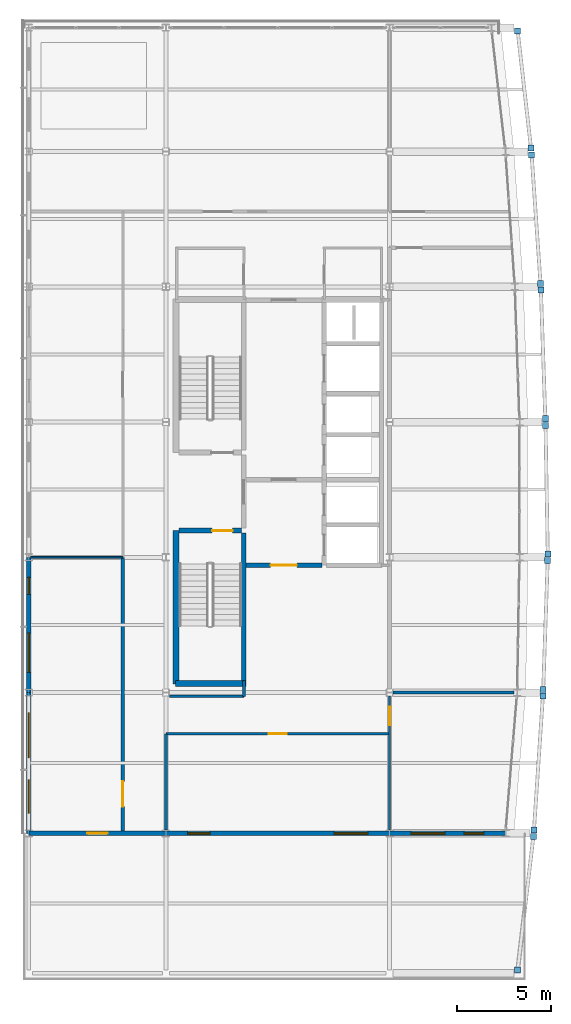
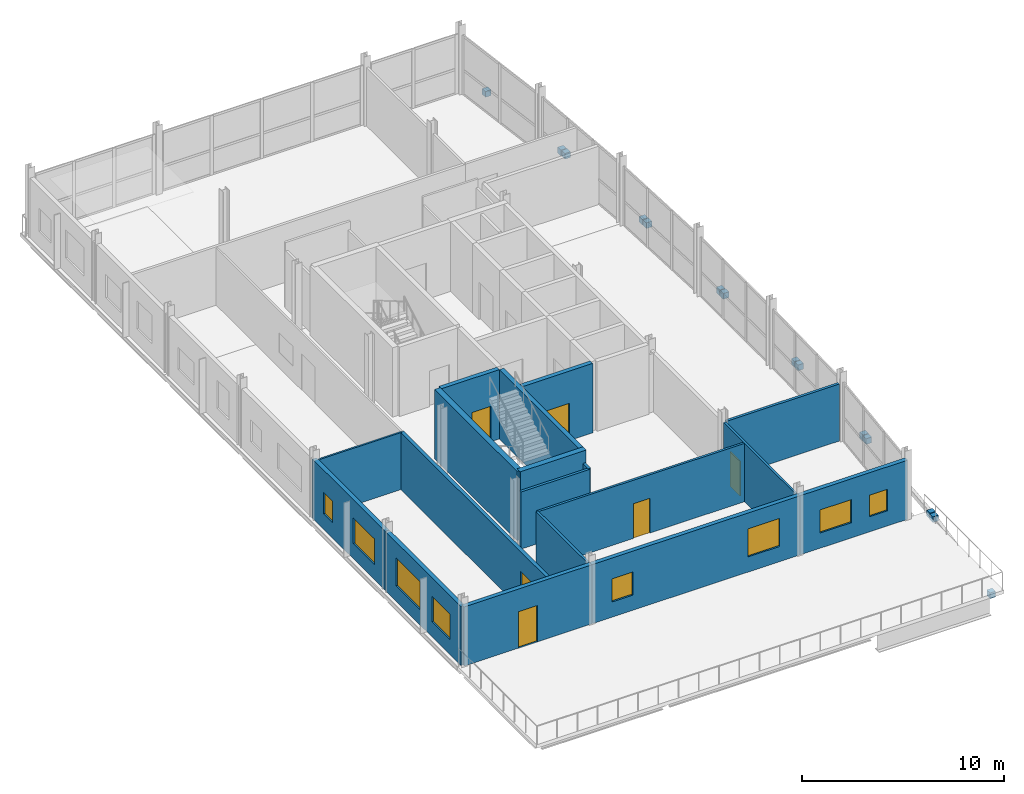
# One storey, part 14 of 19: 18 walls, 14 plates, 8 windows, 6 doors, 14 openings.
"""IFC4 building model written with IfcOpenShell, lengths in metres."""

from ifc_helpers import new_model, si_unit, direction, frame, frame_2d, origin, origin_2d, place, context, subcontext, project, spatial, rectangle, extrude, material, layer, layer_set, type_object, element, fill, save


model = new_model("IFC4")

# Units and contexts
model_context = context("Model", 3, precision=1e-05, world=origin(), true_north=direction((0.0, 1.0)))
body_context = subcontext(model_context, "Body", "Model", "MODEL_VIEW")
ifc_project = project(units=[si_unit("LENGTHUNIT", "METRE"), si_unit("AREAUNIT", "SQUARE_METRE"), si_unit("VOLUMEUNIT", "CUBIC_METRE"), si_unit("PLANEANGLEUNIT", "RADIAN"), si_unit("MASSUNIT", "GRAM", prefix="KILO")], contexts=[model_context])

# Site, building, storey
site_placement = place(None, origin())
site = spatial("IfcSite", under=ifc_project, at=site_placement, CompositionType="ELEMENT")
building_placement = place(site_placement, origin())
building = spatial("IfcBuilding", under=site, at=building_placement, Name="Quillay Park Conservatory", CompositionType="ELEMENT")
storey_placement = place(building_placement, frame((0.0, 0.0, 35.10009765625)))
storey = spatial("IfcBuildingStorey", under=building, at=storey_placement, Name="L08", CompositionType="ELEMENT", Elevation=35.10009765625)

# Plates
ifc_material_1 = material(Name="Steel S355J2H", Category="steel")
ifc_layer_1 = layer(ifc_material_1, 0.02392578125)
ifc_layer_set_1 = layer_set([ifc_layer_1], Name="HOLLOW END CAP PLATE 320 X220 (Steel S355J2H)")
plate_type = type_object("IfcPlateType", Name="HOLLOW END CAP PLATE 320 X220", PredefinedType="USERDEFINED", material=ifc_layer_set_1)
for number, where, z_axis, x_axis, name in (
    (1, (26.5703125, 63.223876953125, -0.537109375), (0.0, 0.0, 1.0), (1.0, 0.0, 0.0), "Hollow steel end cap ECP-0099"),
    (2, (27.404541015625, 70.326171875, -0.537109375), (0.0, 0.0, 1.0), (1.0, 0.0, 0.0), "Hollow steel end cap ECP-0100"),
    (3, (27.4365234375, 70.674560546875, -0.537109375), (0.0, 0.0, 1.0), (1.0, 0.0, 0.0), "Hollow steel end cap ECP-0101"),
    (4, (27.913330078125, 77.825439453125, -0.537109375), (0.0, 0.0, 1.0), (1.0, 0.0, 0.0), "Hollow steel end cap ECP-0102"),
    (5, (27.93115234375, 78.1748046875, -0.537109375), (0.0, 0.0, 1.0), (1.0, 0.0, 0.0), "Hollow steel end cap ECP-0103"),
    (6, (28.1689453125, 85.025146484375, -0.537109375), (0.0, 0.0, 1.0), (1.0, 0.0, 0.0), "Hollow steel end cap ECP-0104"),
    (7, (28.172119140625, 85.375, -0.537109375), (0.0, 0.0, 1.0), (1.0, 0.0, 0.0), "Hollow steel end cap ECP-0105"),
    (8, (28.052978515625, 92.22509765625, -0.537109375), (0.0, 0.0, 1.0), (1.0, 0.0, 0.0), "Hollow steel end cap ECP-0106"),
    (9, (28.0439453125, 92.574951171875, -0.537109375), (0.0, 0.0, 1.0), (1.0, 0.0, 0.0), "Hollow steel end cap ECP-0107"),
    (10, (27.80615234375, 99.425048828125, -0.537109375), (0.0, 0.0, 1.0), (1.0, 0.0, 0.0), "Hollow steel end cap ECP-0108"),
    (11, (27.787841796875, 99.774658203125, -0.537109375), (0.0, 0.0, 1.0), (1.0, 0.0, 0.0), "Hollow steel end cap ECP-0109"),
    (12, (27.31201171875, 106.62548828125, -0.537109375), (0.0, 0.0, 1.0), (1.0, 0.0, 0.0), "Hollow steel end cap ECP-0110"),
    (13, (27.2802734375, 106.973876953125, -0.537109375), (0.0, 0.0, 1.0), (1.0, 0.0, 0.0), "Hollow steel end cap ECP-0111"),
    (14, (26.56982421875, 113.22607421875, -0.537109375), (0.0, 0.0, 1.0), (1.0, 0.0, 0.0), "Hollow steel end cap ECP-0112"),
):
    element("IfcPlate", number, at=place(storey_placement, frame(where, z_axis=z_axis, x_axis=x_axis)), inside=storey, type_object=plate_type, Name=name, ObjectType="FLANGE PLATE", PredefinedType="USERDEFINED", context=body_context, shape_type="SweptSolid", body=[
        extrude(rectangle(XDim=0.320068359375, YDim=0.320068359375, at=origin_2d()), origin(), (0.0, 0.0, 1.0), 0.343994140625),
    ])

# Wall
ifc_material_2 = material(Name="Steel-Stud Acoustic Gypsum Board Partition", Category="steel")
ifc_layer_2 = layer(ifc_material_2, 0.10009765625)
ifc_layer_set_2 = layer_set([ifc_layer_2], Name="ACOUSTIC GYPSUM PARTITION 100 (Steel-Stud Acoustic Gypsum Board Partition)")
wall_type_1 = type_object("IfcWallType", Name="ACOUSTIC GYPSUM PARTITION 100", PredefinedType="PARTITIONING", material=ifc_layer_set_2)
wall_1_placement = place(storey_placement, frame((0.64990234375, 85.199951171875, 0.0), z_axis=(0.0, 0.0, 1.0), x_axis=(1.0, 0.0, 0.0)))
element("IfcWall", 15, at=wall_1_placement, inside=storey, type_object=wall_type_1, Name="L08 West Divider 85", PredefinedType="PARTITIONING", context=body_context, shape_type="SweptSolid", body=[
    extrude(rectangle(XDim=4.900146484375, YDim=0.10009765625, at=frame_2d((2.4501953125, 0.0))), origin(), (0.0, 0.0, 1.0), 3.450927734375),
])

# Wall, opening, door
ifc_material_3 = material(Name="Steel-Stud Acoustic Gypsum Board Partition", Category="steel")
ifc_layer_3 = layer(ifc_material_3, 0.125)
ifc_layer_set_3 = layer_set([ifc_layer_3], Name="ACOUSTIC GYPSUM PARTITION 125 (Steel-Stud Acoustic Gypsum Board Partition)")
wall_type_2 = type_object("IfcWallType", Name="ACOUSTIC GYPSUM PARTITION 125", PredefinedType="PARTITIONING", material=ifc_layer_set_3)
wall_2_placement = place(storey_placement, frame((19.75, 70.677001953125, 0.0), z_axis=(0.0, 0.0, 1.0), x_axis=(0.0, 1.0, 0.0)))
wall_2 = element("IfcWall", 16, at=wall_2_placement, inside=storey, type_object=wall_type_2, Name="L08 Pollen Morphometrics Studio West Door Wall", PredefinedType="PARTITIONING", context=body_context, shape_type="SweptSolid", body=[
    extrude(rectangle(XDim=7.142578125, YDim=0.125, at=frame_2d((3.5712890625, 0.0))), origin(), (0.0, 0.0, 1.0), 3.52685546875),
])
opening_1_placement = place(wall_2_placement, frame((5.5830078125, 0.0, 0.0)))
opening_1 = element("IfcOpeningElement", 17, at=opening_1_placement, cuts=wall_2, Name="Opening D-RM03", PredefinedType="OPENING", context=body_context, shape_type="SweptSolid", body=[
    extrude(rectangle(XDim=0.97998046875, YDim=2.10009765625, at=frame_2d((0.489990234375, 1.050048828125))), frame((0.0, 0.0625, 0.0), z_axis=(0.0, -1.0, 0.0), x_axis=(1.0, 0.0, 0.0)), (0.0, 0.0, 1.0), 0.125),
])
ifc_material_4 = material(Name="Thermally Broken Anodised Aluminium 6063-T6", Category="aluminium")
door_type_1 = type_object("IfcDoorType", Name="SINGLE SWING DOOR 980 X2100", OperationType="NOTDEFINED", PredefinedType="DOOR", material=ifc_material_4)
door_1_placement = place(opening_1_placement, origin())
door_1 = element("IfcDoor", 18, at=door_1_placement, inside=storey, type_object=door_type_1, Name="L08 Door to Pollen Morphometrics Studio", OperationType="SINGLE_SWING_LEFT", OverallHeight=2.10009765625, OverallWidth=0.97998046875, PredefinedType="DOOR", context=body_context, shape_type="SweptSolid", body=[
    extrude(rectangle(XDim=0.97998046875, YDim=2.10009765625, at=frame_2d((0.489990234375, 1.050048828125))), frame((0.0, 0.02490234375, 0.0), z_axis=(0.0, -1.0, 0.0), x_axis=(1.0, 0.0, 0.0)), (0.0, 0.0, 1.0), 0.050048828125),
])
fill(opening_1, door_1)

ifc_material_5 = material(Name="Steel-Stud Acoustic Gypsum Board Partition", Category="steel")
ifc_layer_4 = layer(ifc_material_5, 0.1298828125)
ifc_layer_set_4 = layer_set([ifc_layer_4], Name="ACOUSTIC GYPSUM PARTITION 130 (Steel-Stud Acoustic Gypsum Board Partition)")
wall_type_3 = type_object("IfcWallType", Name="ACOUSTIC GYPSUM PARTITION 130", PredefinedType="PARTITIONING", material=ifc_layer_set_4)
wall_3_placement = place(storey_placement, frame((7.85009765625, 75.800048828125, 0.0), z_axis=(0.0, 0.0, 1.0), x_axis=(1.0, 0.0, 0.0)))
wall_3 = element("IfcWall", 19, at=wall_3_placement, inside=storey, type_object=wall_type_3, Name="L08 Seed X-Ray Radiography Research Laboratory North Door Wall", PredefinedType="PARTITIONING", context=body_context, shape_type="SweptSolid", body=[
    extrude(rectangle(XDim=11.89990234375, YDim=0.1298828125, at=frame_2d((5.949951171875, 0.0))), origin(), (0.0, 0.0, 1.0), 3.52685546875),
])
opening_2_placement = place(wall_3_placement, frame((5.47509765625, 0.0, 0.0)))
opening_2 = element("IfcOpeningElement", 20, at=opening_2_placement, cuts=wall_3, Name="Opening D-RM02", PredefinedType="OPENING", context=body_context, shape_type="SweptSolid", body=[
    extrude(rectangle(XDim=0.949951171875, YDim=2.10009765625, at=frame_2d((0.47509765625, 1.050048828125))), frame((0.0, 0.06494140625, 0.0), z_axis=(0.0, -1.0, 0.0), x_axis=(1.0, 0.0, 0.0)), (0.0, 0.0, 1.0), 0.1298828125),
])
ifc_material_6 = material(Name="Thermally Broken Anodised Aluminium 6063-T6", Category="aluminium")
door_type_2 = type_object("IfcDoorType", Name="SINGLE SWING DOOR 950 X2100", OperationType="NOTDEFINED", PredefinedType="DOOR", material=ifc_material_6)
door_2_placement = place(opening_2_placement, origin())
door_2 = element("IfcDoor", 21, at=door_2_placement, inside=storey, type_object=door_type_2, Name="L08 Door to Seed X-Ray Radiography Research Laboratory", OperationType="SINGLE_SWING_RIGHT", OverallHeight=2.10009765625, OverallWidth=0.949951171875, PredefinedType="DOOR", context=body_context, shape_type="SweptSolid", body=[
    extrude(rectangle(XDim=0.949951171875, YDim=2.10009765625, at=frame_2d((0.47509765625, 1.050048828125))), frame((0.0, 0.02490234375, 0.0), z_axis=(0.0, -1.0, 0.0), x_axis=(1.0, 0.0, 0.0)), (0.0, 0.0, 1.0), 0.050048828125),
])
fill(opening_2, door_2)

# Walls
ifc_material_7 = material(Name="Steel-Stud Acoustic Gypsum Board Partition", Category="steel")
ifc_layer_5 = layer(ifc_material_7, 0.139892578125)
ifc_layer_set_5 = layer_set([ifc_layer_5], Name="ACOUSTIC GYPSUM PARTITION 140 (Steel-Stud Acoustic Gypsum Board Partition)")
wall_type_4 = type_object("IfcWallType", Name="ACOUSTIC GYPSUM PARTITION 140", PredefinedType="PARTITIONING", material=ifc_layer_set_5)
wall_4_placement = place(storey_placement, frame((12.0, 77.800048828125, 0.0), z_axis=(0.0, 0.0, 1.0), x_axis=(0.0, 1.0, 0.0)))
element("IfcWall", 22, at=wall_4_placement, inside=storey, type_object=wall_type_4, Name="L08 Core South Vestibule West Wall", PredefinedType="PARTITIONING", context=body_context, shape_type="SweptSolid", body=[
    extrude(rectangle(XDim=0.849853515625, YDim=0.139892578125, at=frame_2d((0.4248046875, 0.0))), origin(), (0.0, 0.0, 1.0), 3.450927734375),
])
wall_5_placement = place(storey_placement, frame((7.85009765625, 70.677001953125, 0.0), z_axis=(0.0, 0.0, 1.0), x_axis=(0.0, 1.0, 0.0)))
element("IfcWall", 23, at=wall_5_placement, inside=storey, type_object=wall_type_4, Name="L08 South-Central West Wall", PredefinedType="PARTITIONING", context=body_context, shape_type="SweptSolid", body=[
    extrude(rectangle(XDim=5.123046875, YDim=0.139892578125, at=frame_2d((2.5615234375, 0.0))), origin(), (0.0, 0.0, 1.0), 3.52685546875),
])
ifc_material_8 = material(Name="Steel-Stud Acoustic Gypsum Board Partition", Category="steel")
ifc_layer_6 = layer(ifc_material_8, 0.14990234375)
ifc_layer_set_6 = layer_set([ifc_layer_6], Name="ACOUSTIC GYPSUM PARTITION 150 (Steel-Stud Acoustic Gypsum Board Partition)")
wall_type_5 = type_object("IfcWallType", Name="ACOUSTIC GYPSUM PARTITION 150", PredefinedType="PARTITIONING", material=ifc_layer_set_6)
wall_6_placement = place(storey_placement, frame((8.027099609375, 77.800048828125, 0.0), z_axis=(0.0, 0.0, 1.0), x_axis=(1.0, 0.0, 0.0)))
element("IfcWall", 24, at=wall_6_placement, inside=storey, type_object=wall_type_5, Name="L08 Core South-West Return", PredefinedType="PARTITIONING", context=body_context, shape_type="SweptSolid", body=[
    extrude(rectangle(XDim=3.972900390625, YDim=0.14990234375, at=frame_2d((1.986328125, 0.0))), origin(), (0.0, 0.0, 1.0), 3.450927734375),
])
wall_7_placement = place(storey_placement, frame((26.369384765625, 78.0, 0.0), z_axis=(0.0, 0.0, 1.0), x_axis=(-1.0, 0.0, 0.0)))
element("IfcWall", 25, at=wall_7_placement, inside=storey, type_object=wall_type_5, Name="L08 East Strip South Wall", PredefinedType="PARTITIONING", context=body_context, shape_type="SweptSolid", body=[
    extrude(rectangle(XDim=6.4423828125, YDim=0.14990234375, at=frame_2d((3.22119140625, 0.0))), origin(), (0.0, 0.0, 1.0), 3.450927734375),
])
ifc_material_9 = material(Name="Concrete C40/50 (NCh170 Concrete C40/50)", Category="concrete")
ifc_layer_7 = layer(ifc_material_9, 0.25)
ifc_layer_set_7 = layer_set([ifc_layer_7], Name="CORE SHEAR WALL 250 (Concrete C40/50 (NCh170 Concrete C40/50))")
wall_type_6 = type_object("IfcWallType", Name="CORE SHEAR WALL 250", PredefinedType="SHEAR", material=ifc_layer_set_7)
wall_8_placement = place(storey_placement, frame((11.9951171875, 78.64990234375, 0.0), z_axis=(0.0, 0.0, 1.0), x_axis=(0.0, 1.0, 0.0)))
element("IfcWall", 26, at=wall_8_placement, inside=storey, type_object=wall_type_6, Name="L08 Core Shear Wall WL-T2E-L08", PredefinedType="SHEAR", context=body_context, shape_type="SweptSolid", body=[
    extrude(rectangle(XDim=7.85009765625, YDim=0.25, at=frame_2d((3.925048828125, 0.0))), origin(), (0.0, 0.0, 1.0), 4.199951171875),
])

# Wall, opening, door
wall_9_placement = place(storey_placement, frame((8.550048828125, 86.625, 0.0), z_axis=(0.0, 0.0, 1.0), x_axis=(1.0, 0.0, 0.0)))
wall_9 = element("IfcWall", 27, at=wall_9_placement, inside=storey, type_object=wall_type_6, Name="L08 Core Shear Wall WL-ST2D-L08", PredefinedType="SHEAR", context=body_context, shape_type="SweptSolid", body=[
    extrude(rectangle(XDim=3.320068359375, YDim=0.25, at=frame_2d((1.66015625, 0.0))), origin(), (0.0, 0.0, 1.0), 4.199951171875),
])
opening_3_placement = place(wall_9_placement, frame((1.75, 0.0, 0.0)))
opening_3 = element("IfcOpeningElement", 28, at=opening_3_placement, cuts=wall_9, Name="Opening D-ST01", PredefinedType="OPENING", context=body_context, shape_type="SweptSolid", body=[
    extrude(rectangle(XDim=1.10009765625, YDim=2.14990234375, at=frame_2d((0.550048828125, 1.074951171875))), frame((0.0, 0.125, 0.0), z_axis=(0.0, -1.0, 0.0), x_axis=(1.0, 0.0, 0.0)), (0.0, 0.0, 1.0), 0.25),
])
ifc_material_10 = material(Name="Steel ASTM A572 Grade 50", Category="steel")
door_type_3 = type_object("IfcDoorType", Name="FIRE RATED STAIR DOOR 1100 X2150", OperationType="NOTDEFINED", PredefinedType="DOOR", material=ifc_material_10)
door_3_placement = place(opening_3_placement, origin())
door_3 = element("IfcDoor", 29, at=door_3_placement, inside=storey, type_object=door_type_3, Name="L08 Protected Stair ST-T2 Door", OperationType="SINGLE_SWING_LEFT", OverallHeight=2.14990234375, OverallWidth=1.10009765625, PredefinedType="DOOR", context=body_context, shape_type="SweptSolid", body=[
    extrude(rectangle(XDim=1.10009765625, YDim=2.14990234375, at=frame_2d((0.550048828125, 1.074951171875))), frame((0.0, 0.02490234375, 0.0), z_axis=(0.0, -1.0, 0.0), x_axis=(1.0, 0.0, 0.0)), (0.0, 0.0, 1.0), 0.050048828125),
])
fill(opening_3, door_3)

wall_10_placement = place(storey_placement, frame((12.1201171875, 84.77490234375, 0.0), z_axis=(0.0, 0.0, 1.0), x_axis=(1.0, 0.0, 0.0)))
wall_10 = element("IfcWall", 30, at=wall_10_placement, inside=storey, type_object=wall_type_6, Name="L08 Core Shear Wall WL-FFS-L08", PredefinedType="SHEAR", context=body_context, shape_type="SweptSolid", body=[
    extrude(rectangle(XDim=4.02978515625, YDim=0.25, at=frame_2d((2.014892578125, 0.0))), origin(), (0.0, 0.0, 1.0), 4.199951171875),
])
opening_4_placement = place(wall_10_placement, frame((1.300048828125, 0.0, 0.0)))
opening_4 = element("IfcOpeningElement", 31, at=opening_4_placement, cuts=wall_10, Name="Opening D-LB03", PredefinedType="OPENING", context=body_context, shape_type="SweptSolid", body=[
    extrude(rectangle(XDim=1.39990234375, YDim=2.25, at=frame_2d((0.699951171875, 1.125))), frame((0.0, 0.125, 0.0), z_axis=(0.0, -1.0, 0.0), x_axis=(1.0, 0.0, 0.0)), (0.0, 0.0, 1.0), 0.25),
])
ifc_material_11 = material(Name="Steel ASTM A572 Grade 50", Category="steel")
door_type_4 = type_object("IfcDoorType", Name="FIRE RATED LOBBY DOOR 1400 X2250", OperationType="NOTDEFINED", PredefinedType="DOOR", material=ifc_material_11)
door_4_placement = place(opening_4_placement, origin())
door_4 = element("IfcDoor", 32, at=door_4_placement, inside=storey, type_object=door_type_4, Name="L08 South Core Lobby Door", OperationType="SINGLE_SWING_RIGHT", OverallHeight=2.25, OverallWidth=1.39990234375, PredefinedType="DOOR", context=body_context, shape_type="SweptSolid", body=[
    extrude(rectangle(XDim=1.39990234375, YDim=2.25, at=frame_2d((0.699951171875, 1.125))), frame((0.0, 0.02490234375, 0.0), z_axis=(0.0, -1.0, 0.0), x_axis=(1.0, 0.0, 0.0)), (0.0, 0.0, 1.0), 0.050048828125),
])
fill(opening_4, door_4)

# Walls
ifc_material_12 = material(Name="Concrete C40/50 (NCh170 Concrete C40/50)", Category="concrete")
ifc_layer_8 = layer(ifc_material_12, 0.320068359375)
ifc_layer_set_8 = layer_set([ifc_layer_8], Name="CORE SHEAR WALL 320 (Concrete C40/50 (NCh170 Concrete C40/50))")
wall_type_7 = type_object("IfcWallType", Name="CORE SHEAR WALL 320", PredefinedType="SHEAR", material=ifc_layer_set_8)
wall_11_placement = place(storey_placement, frame((8.389892578125, 78.449951171875, 0.0), z_axis=(0.0, 0.0, 1.0), x_axis=(0.0, 1.0, 0.0)))
element("IfcWall", 33, at=wall_11_placement, inside=storey, type_object=wall_type_7, Name="L08 Core Shear Wall WL-TCW-S-L08", PredefinedType="SHEAR", context=body_context, shape_type="SweptSolid", body=[
    extrude(rectangle(XDim=8.175048828125, YDim=0.320068359375, at=frame_2d((4.08740234375, 0.0))), origin(), (0.0, 0.0, 1.0), 4.199951171875),
])
wall_12_placement = place(storey_placement, frame((8.35009765625, 78.489990234375, 0.0), z_axis=(0.0, 0.0, 1.0), x_axis=(1.0, 0.0, 0.0)))
element("IfcWall", 34, at=wall_12_placement, inside=storey, type_object=wall_type_7, Name="L08 Core Shear Wall WL-TCS-L08", PredefinedType="SHEAR", context=body_context, shape_type="SweptSolid", body=[
    extrude(rectangle(XDim=3.77001953125, YDim=0.320068359375, at=frame_2d((1.885009765625, 0.0))), origin(), (0.0, 0.0, 1.0), 4.199951171875),
])

# Wall, openings, windows
ifc_material_13 = material(Name="Glass-Fibre Reinforced Concrete (GRC) Cladding", Category="concrete")
ifc_layer_9 = layer(ifc_material_13, 0.239990234375)
ifc_layer_set_9 = layer_set([ifc_layer_9], Name="EXTERIOR SOLID WALL 240 (Glass-Fibre Reinforced Concrete (GRC) Cladding)")
wall_type_8 = type_object("IfcWallType", Name="EXTERIOR SOLID WALL 240", PredefinedType="SOLIDWALL", material=ifc_layer_set_9)
wall_13_placement = place(storey_placement, frame((0.550048828125, 70.5, 0.0), z_axis=(0.0, 0.0, 1.0), x_axis=(0.0, 1.0, 0.0)))
wall_13 = element("IfcWall", 35, at=wall_13_placement, inside=storey, type_object=wall_type_8, Name="L08 External Wall WL-EXT-V4W-L08-0", PredefinedType="SOLIDWALL", context=body_context, shape_type="SweptSolid", body=[
    extrude(rectangle(XDim=7.5, YDim=0.239990234375, at=frame_2d((3.75, 0.0))), origin(), (0.0, 0.0, 1.0), 3.576904296875),
])
opening_5_placement = place(wall_13_placement, frame((1.070068359375, 0.0, 0.919921875)))
opening_5 = element("IfcOpeningElement", 36, at=opening_5_placement, cuts=wall_13, Name="Opening W-09", PredefinedType="OPENING", context=body_context, shape_type="SweptSolid", body=[
    extrude(rectangle(XDim=1.800048828125, YDim=1.550048828125, at=frame_2d((0.89990234375, 0.77490234375))), frame((0.0, 0.1201171875, 0.0), z_axis=(0.0, -1.0, 0.0), x_axis=(1.0, 0.0, 0.0)), (0.0, 0.0, 1.0), 0.239990234375),
])
opening_6_placement = place(wall_13_placement, frame((4.030029296875, 0.0, 0.919921875)))
opening_6 = element("IfcOpeningElement", 37, at=opening_6_placement, cuts=wall_13, Name="Opening W-16", PredefinedType="OPENING", context=body_context, shape_type="SweptSolid", body=[
    extrude(rectangle(XDim=2.39990234375, YDim=1.699951171875, at=frame_2d((1.199951171875, 0.85009765625))), frame((0.0, 0.1201171875, 0.0), z_axis=(0.0, -1.0, 0.0), x_axis=(1.0, 0.0, 0.0)), (0.0, 0.0, 1.0), 0.239990234375),
])
ifc_material_14 = material(Name="Low-E Double Glazing (Laminated Tempered)", Category="glass")
window_type_1 = type_object("IfcWindowType", Name="FIXED CASEMENT WINDOW 1800 X1550", PartitioningType="DOUBLE_PANEL_VERTICAL", PredefinedType="WINDOW", material=ifc_material_14)
window_1_placement = place(opening_5_placement, origin())
window_1 = element("IfcWindow", 38, at=window_1_placement, inside=storey, type_object=window_type_1, Name="L08 Exterior Window 0203", OverallHeight=1.550048828125, OverallWidth=1.800048828125, PartitioningType="DOUBLE_PANEL_VERTICAL", PredefinedType="WINDOW", context=body_context, shape_type="SweptSolid", body=[
    extrude(rectangle(XDim=1.800048828125, YDim=1.550048828125, at=frame_2d((0.89990234375, 0.77490234375))), frame((0.0, 0.030029296875, 0.0), z_axis=(0.0, -1.0, 0.0), x_axis=(1.0, 0.0, 0.0)), (0.0, 0.0, 1.0), 0.06005859375),
])
fill(opening_5, window_1)
ifc_material_15 = material(Name="Low-E Double Glazing (Laminated Tempered)", Category="glass")
window_type_2 = type_object("IfcWindowType", Name="FIXED CASEMENT WINDOW 2400 X1700", PartitioningType="DOUBLE_PANEL_VERTICAL", PredefinedType="WINDOW", material=ifc_material_15)
window_2_placement = place(opening_6_placement, origin())
window_2 = element("IfcWindow", 39, at=window_2_placement, inside=storey, type_object=window_type_2, Name="L08 Exterior Window 0204", OverallHeight=1.699951171875, OverallWidth=2.39990234375, PartitioningType="DOUBLE_PANEL_VERTICAL", PredefinedType="WINDOW", context=body_context, shape_type="SweptSolid", body=[
    extrude(rectangle(XDim=2.39990234375, YDim=1.699951171875, at=frame_2d((1.199951171875, 0.85009765625))), frame((0.0, 0.030029296875, 0.0), z_axis=(0.0, -1.0, 0.0), x_axis=(1.0, 0.0, 0.0)), (0.0, 0.0, 1.0), 0.06005859375),
])
fill(opening_6, window_2)

wall_14_placement = place(storey_placement, frame((0.550048828125, 78.0, 0.0), z_axis=(0.0, 0.0, 1.0), x_axis=(0.0, 1.0, 0.0)))
wall_14 = element("IfcWall", 40, at=wall_14_placement, inside=storey, type_object=wall_type_8, Name="L08 External Wall WL-EXT-V4W-L08-1", PredefinedType="SOLIDWALL", context=body_context, shape_type="SweptSolid", body=[
    extrude(rectangle(XDim=7.199951171875, YDim=0.239990234375, at=frame_2d((3.60009765625, 0.0))), origin(), (0.0, 0.0, 1.0), 3.576904296875),
])
opening_7_placement = place(wall_14_placement, frame((1.070068359375, 0.0, 0.919921875)))
opening_7 = element("IfcOpeningElement", 41, at=opening_7_placement, cuts=wall_14, Name="Opening W-10", PredefinedType="OPENING", context=body_context, shape_type="SweptSolid", body=[
    extrude(rectangle(XDim=2.10009765625, YDim=1.550048828125, at=frame_2d((1.050048828125, 0.77490234375))), frame((0.0, 0.1201171875, 0.0), z_axis=(0.0, -1.0, 0.0), x_axis=(1.0, 0.0, 0.0)), (0.0, 0.0, 1.0), 0.239990234375),
])
opening_8_placement = place(wall_14_placement, frame((5.22998046875, 0.0, 0.919921875)))
opening_8 = element("IfcOpeningElement", 42, at=opening_8_placement, cuts=wall_14, Name="Opening W-17", PredefinedType="OPENING", context=body_context, shape_type="SweptSolid", body=[
    extrude(rectangle(XDim=0.89990234375, YDim=1.300048828125, at=frame_2d((0.449951171875, 0.64990234375))), frame((0.0, 0.1201171875, 0.0), z_axis=(0.0, -1.0, 0.0), x_axis=(1.0, 0.0, 0.0)), (0.0, 0.0, 1.0), 0.239990234375),
])
ifc_material_16 = material(Name="Low-E Double Glazing (Laminated Tempered)", Category="glass")
window_type_3 = type_object("IfcWindowType", Name="FIXED CASEMENT WINDOW 2100 X1550", PartitioningType="DOUBLE_PANEL_VERTICAL", PredefinedType="WINDOW", material=ifc_material_16)
window_3_placement = place(opening_7_placement, origin())
window_3 = element("IfcWindow", 43, at=window_3_placement, inside=storey, type_object=window_type_3, Name="L08 Exterior Window 0205", OverallHeight=1.550048828125, OverallWidth=2.10009765625, PartitioningType="DOUBLE_PANEL_VERTICAL", PredefinedType="WINDOW", context=body_context, shape_type="SweptSolid", body=[
    extrude(rectangle(XDim=2.10009765625, YDim=1.550048828125, at=frame_2d((1.050048828125, 0.77490234375))), frame((0.0, 0.030029296875, 0.0), z_axis=(0.0, -1.0, 0.0), x_axis=(1.0, 0.0, 0.0)), (0.0, 0.0, 1.0), 0.06005859375),
])
fill(opening_7, window_3)
ifc_material_17 = material(Name="Low-E Double Glazing (Laminated Tempered)", Category="glass")
window_type_4 = type_object("IfcWindowType", Name="FIXED CASEMENT WINDOW 900 X1300", PartitioningType="SINGLE_PANEL", PredefinedType="WINDOW", material=ifc_material_17)
window_4_placement = place(opening_8_placement, origin())
window_4 = element("IfcWindow", 44, at=window_4_placement, inside=storey, type_object=window_type_4, Name="L08 Exterior Window 0206", OverallHeight=1.300048828125, OverallWidth=0.89990234375, PartitioningType="SINGLE_PANEL", PredefinedType="WINDOW", context=body_context, shape_type="SweptSolid", body=[
    extrude(rectangle(XDim=0.89990234375, YDim=1.300048828125, at=frame_2d((0.449951171875, 0.64990234375))), frame((0.0, 0.030029296875, 0.0), z_axis=(0.0, -1.0, 0.0), x_axis=(1.0, 0.0, 0.0)), (0.0, 0.0, 1.0), 0.06005859375),
])
fill(opening_8, window_4)

# Wall, opening, door
wall_15_placement = place(storey_placement, frame((7.85009765625, 70.5, 0.0), z_axis=(0.0, 0.0, 1.0), x_axis=(-1.0, 0.0, 0.0)))
wall_15 = element("IfcWall", 45, at=wall_15_placement, inside=storey, type_object=wall_type_8, Name="L08 External Wall WL-EXT-V4S1-L08", PredefinedType="SOLIDWALL", context=body_context, shape_type="SweptSolid", body=[
    extrude(rectangle(XDim=7.300048828125, YDim=0.239990234375, at=frame_2d((3.64990234375, 0.0))), origin(), (0.0, 0.0, 1.0), 3.576904296875),
])
opening_9_placement = place(wall_15_placement, frame((3.10009765625, 0.0, 0.0)))
opening_9 = element("IfcOpeningElement", 46, at=opening_9_placement, cuts=wall_15, Name="Opening D-TR01", PredefinedType="OPENING", context=body_context, shape_type="SweptSolid", body=[
    extrude(rectangle(XDim=1.10009765625, YDim=2.199951171875, at=frame_2d((0.550048828125, 1.10009765625))), frame((0.0, 0.1201171875, 0.0), z_axis=(0.0, -1.0, 0.0), x_axis=(1.0, 0.0, 0.0)), (0.0, 0.0, 1.0), 0.239990234375),
])
ifc_material_18 = material(Name="Thermally Broken Anodised Aluminium 6063-T6", Category="aluminium")
door_type_5 = type_object("IfcDoorType", Name="TERRACE GLAZED DOOR 1100 X2200", OperationType="NOTDEFINED", PredefinedType="DOOR", material=ifc_material_18)
door_5_placement = place(opening_9_placement, origin())
door_5 = element("IfcDoor", 47, at=door_5_placement, inside=storey, type_object=door_type_5, Name="L08 Botanical Sky Terrace Door", OperationType="SINGLE_SWING_LEFT", OverallHeight=2.199951171875, OverallWidth=1.10009765625, PredefinedType="DOOR", context=body_context, shape_type="SweptSolid", body=[
    extrude(rectangle(XDim=1.10009765625, YDim=2.199951171875, at=frame_2d((0.550048828125, 1.10009765625))), frame((0.0, 0.02490234375, 0.0), z_axis=(0.0, -1.0, 0.0), x_axis=(1.0, 0.0, 0.0)), (0.0, 0.0, 1.0), 0.050048828125),
])
fill(opening_9, door_5)

# Wall, openings, windows
wall_16_placement = place(storey_placement, frame((19.75, 70.5, 0.0), z_axis=(0.0, 0.0, 1.0), x_axis=(-1.0, 0.0, 0.0)))
wall_16 = element("IfcWall", 48, at=wall_16_placement, inside=storey, type_object=wall_type_8, Name="L08 External Wall WL-EXT-V4S2-L08", PredefinedType="SOLIDWALL", context=body_context, shape_type="SweptSolid", body=[
    extrude(rectangle(XDim=11.89990234375, YDim=0.239990234375, at=frame_2d((5.949951171875, 0.0))), origin(), (0.0, 0.0, 1.0), 3.576904296875),
])
opening_10_placement = place(wall_16_placement, frame((1.14990234375, 0.0, 0.919921875)))
opening_10 = element("IfcOpeningElement", 49, at=opening_10_placement, cuts=wall_16, Name="Opening W-14", PredefinedType="OPENING", context=body_context, shape_type="SweptSolid", body=[
    extrude(rectangle(XDim=1.800048828125, YDim=1.699951171875, at=frame_2d((0.89990234375, 0.85009765625))), frame((0.0, 0.1201171875, 0.0), z_axis=(0.0, -1.0, 0.0), x_axis=(1.0, 0.0, 0.0)), (0.0, 0.0, 1.0), 0.239990234375),
])
opening_11_placement = place(wall_16_placement, frame((9.550048828125, 0.0, 0.919921875)))
opening_11 = element("IfcOpeningElement", 50, at=opening_11_placement, cuts=wall_16, Name="Opening W-01", PredefinedType="OPENING", context=body_context, shape_type="SweptSolid", body=[
    extrude(rectangle(XDim=1.199951171875, YDim=1.39990234375, at=frame_2d((0.60009765625, 0.699951171875))), frame((0.0, 0.1201171875, 0.0), z_axis=(0.0, -1.0, 0.0), x_axis=(1.0, 0.0, 0.0)), (0.0, 0.0, 1.0), 0.239990234375),
])
ifc_material_19 = material(Name="Low-E Double Glazing (Laminated Tempered)", Category="glass")
window_type_5 = type_object("IfcWindowType", Name="FIXED CASEMENT WINDOW 1200 X1400", PartitioningType="SINGLE_PANEL", PredefinedType="WINDOW", material=ifc_material_19)
window_5_placement = place(opening_11_placement, origin())
window_5 = element("IfcWindow", 51, at=window_5_placement, inside=storey, type_object=window_type_5, Name="L08 Exterior Window 0216", OverallHeight=1.39990234375, OverallWidth=1.199951171875, PartitioningType="SINGLE_PANEL", PredefinedType="WINDOW", context=body_context, shape_type="SweptSolid", body=[
    extrude(rectangle(XDim=1.199951171875, YDim=1.39990234375, at=frame_2d((0.60009765625, 0.699951171875))), frame((0.0, 0.030029296875, 0.0), z_axis=(0.0, -1.0, 0.0), x_axis=(1.0, 0.0, 0.0)), (0.0, 0.0, 1.0), 0.06005859375),
])
fill(opening_11, window_5)
ifc_material_20 = material(Name="Low-E Double Glazing (Laminated Tempered)", Category="glass")
window_type_6 = type_object("IfcWindowType", Name="FIXED CASEMENT WINDOW 1800 X1700", PartitioningType="DOUBLE_PANEL_VERTICAL", PredefinedType="WINDOW", material=ifc_material_20)
window_6_placement = place(opening_10_placement, origin())
window_6 = element("IfcWindow", 52, at=window_6_placement, inside=storey, type_object=window_type_6, Name="L08 Exterior Window 0215", OverallHeight=1.699951171875, OverallWidth=1.800048828125, PartitioningType="DOUBLE_PANEL_VERTICAL", PredefinedType="WINDOW", context=body_context, shape_type="SweptSolid", body=[
    extrude(rectangle(XDim=1.800048828125, YDim=1.699951171875, at=frame_2d((0.89990234375, 0.85009765625))), frame((0.0, 0.030029296875, 0.0), z_axis=(0.0, -1.0, 0.0), x_axis=(1.0, 0.0, 0.0)), (0.0, 0.0, 1.0), 0.06005859375),
])
fill(opening_10, window_6)

wall_17_placement = place(storey_placement, frame((25.925048828125, 70.5, 0.0), z_axis=(0.0, 0.0, 1.0), x_axis=(-1.0, 0.0, 0.0)))
wall_17 = element("IfcWall", 53, at=wall_17_placement, inside=storey, type_object=wall_type_8, Name="L08 External Wall WL-EXT-V4S3-L08", PredefinedType="SOLIDWALL", context=body_context, shape_type="SweptSolid", body=[
    extrude(rectangle(XDim=6.175048828125, YDim=0.239990234375, at=frame_2d((3.08740234375, 0.0))), origin(), (0.0, 0.0, 1.0), 3.576904296875),
])
opening_12_placement = place(wall_17_placement, frame((1.14990234375, 0.0, 0.919921875)))
opening_12 = element("IfcOpeningElement", 54, at=opening_12_placement, cuts=wall_17, Name="Opening W-18", PredefinedType="OPENING", context=body_context, shape_type="SweptSolid", body=[
    extrude(rectangle(XDim=1.050048828125, YDim=1.300048828125, at=frame_2d((0.52490234375, 0.64990234375))), frame((0.0, 0.1201171875, 0.0), z_axis=(0.0, -1.0, 0.0), x_axis=(1.0, 0.0, 0.0)), (0.0, 0.0, 1.0), 0.239990234375),
])
opening_13_placement = place(wall_17_placement, frame((3.22509765625, 0.0, 0.919921875)))
opening_13 = element("IfcOpeningElement", 55, at=opening_13_placement, cuts=wall_17, Name="Opening W-05", PredefinedType="OPENING", context=body_context, shape_type="SweptSolid", body=[
    extrude(rectangle(XDim=1.800048828125, YDim=1.39990234375, at=frame_2d((0.89990234375, 0.699951171875))), frame((0.0, 0.1201171875, 0.0), z_axis=(0.0, -1.0, 0.0), x_axis=(1.0, 0.0, 0.0)), (0.0, 0.0, 1.0), 0.239990234375),
])
ifc_material_21 = material(Name="Low-E Double Glazing (Laminated Tempered)", Category="glass")
window_type_7 = type_object("IfcWindowType", Name="FIXED CASEMENT WINDOW 1050 X1300", PartitioningType="SINGLE_PANEL", PredefinedType="WINDOW", material=ifc_material_21)
window_7_placement = place(opening_12_placement, origin())
window_7 = element("IfcWindow", 56, at=window_7_placement, inside=storey, type_object=window_type_7, Name="L08 Exterior Window 0217", OverallHeight=1.300048828125, OverallWidth=1.050048828125, PartitioningType="SINGLE_PANEL", PredefinedType="WINDOW", context=body_context, shape_type="SweptSolid", body=[
    extrude(rectangle(XDim=1.050048828125, YDim=1.300048828125, at=frame_2d((0.52490234375, 0.64990234375))), frame((0.0, 0.030029296875, 0.0), z_axis=(0.0, -1.0, 0.0), x_axis=(1.0, 0.0, 0.0)), (0.0, 0.0, 1.0), 0.06005859375),
])
fill(opening_12, window_7)
ifc_material_22 = material(Name="Low-E Double Glazing (Laminated Tempered)", Category="glass")
window_type_8 = type_object("IfcWindowType", Name="FIXED CASEMENT WINDOW 1800 X1400", PartitioningType="DOUBLE_PANEL_VERTICAL", PredefinedType="WINDOW", material=ifc_material_22)
window_8_placement = place(opening_13_placement, origin())
window_8 = element("IfcWindow", 57, at=window_8_placement, inside=storey, type_object=window_type_8, Name="L08 Exterior Window 0218", OverallHeight=1.39990234375, OverallWidth=1.800048828125, PartitioningType="DOUBLE_PANEL_VERTICAL", PredefinedType="WINDOW", context=body_context, shape_type="SweptSolid", body=[
    extrude(rectangle(XDim=1.800048828125, YDim=1.39990234375, at=frame_2d((0.89990234375, 0.699951171875))), frame((0.0, 0.030029296875, 0.0), z_axis=(0.0, -1.0, 0.0), x_axis=(1.0, 0.0, 0.0)), (0.0, 0.0, 1.0), 0.06005859375),
])
fill(opening_13, window_8)

# Wall, opening, door
ifc_material_23 = material(Name="Concrete C35/45 (NCh170 Concrete C35/45)", Category="concrete")
ifc_layer_10 = layer(ifc_material_23, 0.199951171875)
ifc_layer_set_10 = layer_set([ifc_layer_10], Name="SOLID VAULT WALL 200 (Concrete C35/45 (NCh170 Concrete C35/45))")
wall_type_9 = type_object("IfcWallType", Name="SOLID VAULT WALL 200", PredefinedType="SOLIDWALL", material=ifc_layer_set_10)
wall_18_placement = place(storey_placement, frame((5.550048828125, 70.625, 0.0), z_axis=(0.0, 0.0, 1.0), x_axis=(0.0, 1.0, 0.0)))
wall_18 = element("IfcWall", 58, at=wall_18_placement, inside=storey, type_object=wall_type_9, Name="L08 High-Resolution Herbarium Digitisation Studio Corridor Wall", PredefinedType="SOLIDWALL", context=body_context, shape_type="SweptSolid", body=[
    extrude(rectangle(XDim=14.574951171875, YDim=0.199951171875, at=frame_2d((7.28759765625, 0.0))), origin(), (0.0, 0.0, 1.0), 3.450927734375),
])
opening_14_placement = place(wall_18_placement, frame((1.300048828125, 0.0, 0.0)))
opening_14 = element("IfcOpeningElement", 59, at=opening_14_placement, cuts=wall_18, Name="Opening D-HB01", PredefinedType="OPENING", context=body_context, shape_type="SweptSolid", body=[
    extrude(rectangle(XDim=1.35009765625, YDim=2.25, at=frame_2d((0.675048828125, 1.125))), frame((0.0, 0.10009765625, 0.0), z_axis=(0.0, -1.0, 0.0), x_axis=(1.0, 0.0, 0.0)), (0.0, 0.0, 1.0), 0.199951171875),
])
ifc_material_24 = material(Name="Steel ASTM A572 Grade 50", Category="steel")
door_type_6 = type_object("IfcDoorType", Name="FIRE RATED VAULT DOOR 1350 X2250", OperationType="NOTDEFINED", PredefinedType="DOOR", material=ifc_material_24)
door_6_placement = place(opening_14_placement, origin())
door_6 = element("IfcDoor", 60, at=door_6_placement, inside=storey, type_object=door_type_6, Name="L08 Door to High-Resolution Herbarium Digitisation Studio", OperationType="SINGLE_SWING_LEFT", OverallHeight=2.25, OverallWidth=1.35009765625, PredefinedType="DOOR", context=body_context, shape_type="SweptSolid", body=[
    extrude(rectangle(XDim=1.35009765625, YDim=2.25, at=frame_2d((0.675048828125, 1.125))), frame((0.0, 0.02490234375, 0.0), z_axis=(0.0, -1.0, 0.0), x_axis=(1.0, 0.0, 0.0)), (0.0, 0.0, 1.0), 0.050048828125),
])
fill(opening_14, door_6)

save(model, "model.ifc")
